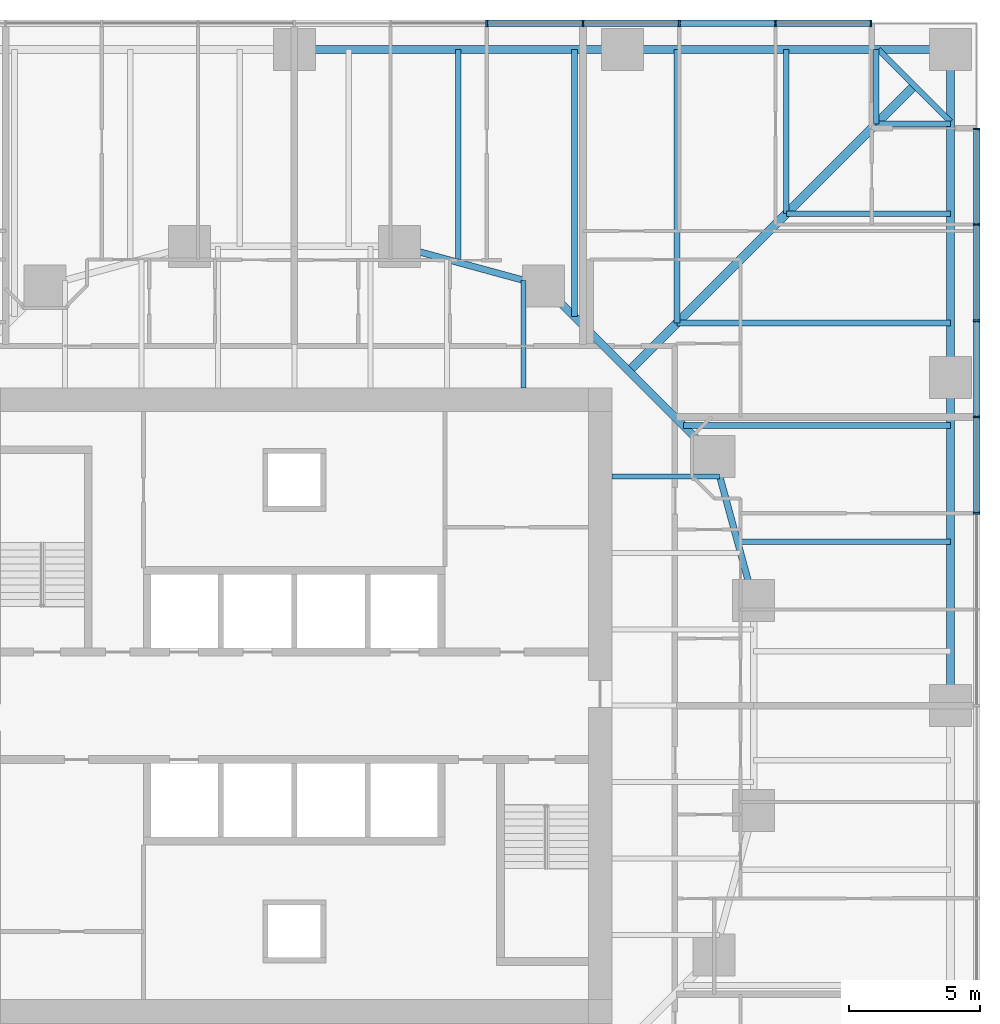
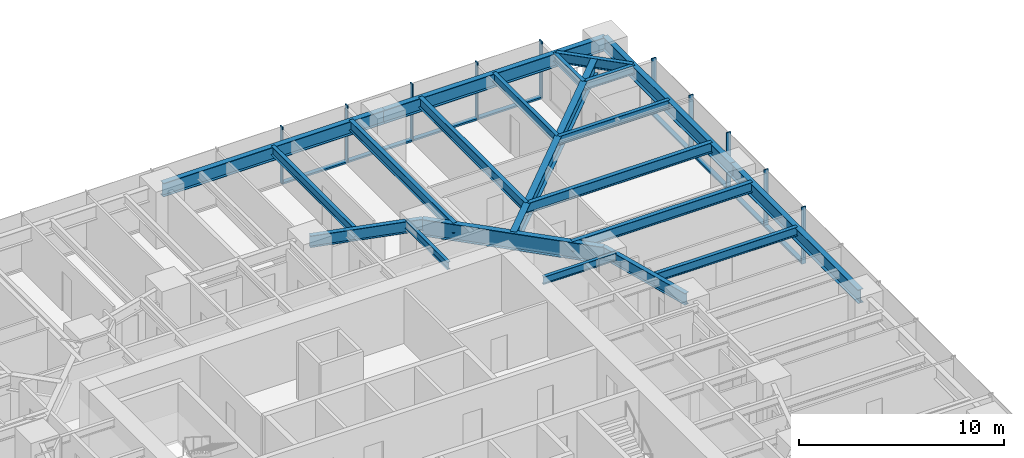
# One storey, part 6 of 17: 21 beams, 18 members, 2 elements without a shape of their own.
"""IFC4 building model written with IfcOpenShell, lengths in metres."""

from ifc_helpers import new_model, si_unit, direction, frame, origin, origin_2d, place, context, subcontext, project, spatial, rectangle, i_section, extrude, material, material_profile, profile_set, type_object, element, aggregate, save


model = new_model("IFC4")

# Units and contexts
model_context = context("Model", 3, precision=1e-05, world=origin(), true_north=direction((0.0, 1.0)))
body_context = subcontext(model_context, "Body", "Model", "MODEL_VIEW")
ifc_project = project(units=[si_unit("LENGTHUNIT", "METRE"), si_unit("AREAUNIT", "SQUARE_METRE"), si_unit("VOLUMEUNIT", "CUBIC_METRE"), si_unit("PLANEANGLEUNIT", "RADIAN"), si_unit("MASSUNIT", "GRAM", prefix="KILO")], contexts=[model_context])

# Site, building, storey
site_placement = place(None, origin())
site = spatial("IfcSite", under=ifc_project, at=site_placement, CompositionType="ELEMENT")
building_placement = place(site_placement, origin())
building = spatial("IfcBuilding", under=site, at=building_placement, Name="Torsade Residences", CompositionType="ELEMENT")
storey_placement = place(building_placement, frame((0.0, 0.0, 18.39990234375)))
storey = spatial("IfcBuildingStorey", under=building, at=storey_placement, Name="L04", CompositionType="ELEMENT", Elevation=18.39990234375)

# Beams
ifc_material_1 = material(Name="Steel grade 300", Category="steel")
ifc_material_profile_1 = material_profile(ifc_material_1, i_section(OverallWidth=0.35009765625, OverallDepth=0.909912109375, WebThickness=0.011962890625, FlangeThickness=0.02490234375, at=origin_2d()), Name="900WB218")
ifc_profile_set_1 = profile_set([ifc_material_profile_1], Name="Steel grade 300")
beam_type_1 = type_object("IfcBeamType", Name="CORNER GIRDER 900WB218", PredefinedType="BEAM", material=ifc_profile_set_1)
beam_1_placement = place(storey_placement, frame((63.625, 53.625, 2.795166015625), z_axis=(-0.707106781187, -0.707106781187, 0.0), x_axis=(0.707106781187, -0.707106781187, 0.0)))
element("IfcBeam", 1, at=beam_1_placement, inside=storey, type_object=beam_type_1, Name="Corner girder 09 L05", PredefinedType="BEAM", context=body_context, shape_type="SweptSolid", body=[
    extrude(i_section(OverallWidth=0.35009765625, OverallDepth=0.909912109375, WebThickness=0.011962890625, FlangeThickness=0.02490234375, at=origin_2d()), origin(), (0.0, 0.0, 1.0), 15.379638671875),
])
ifc_material_2 = material(Name="Steel grade 300", Category="steel")
ifc_material_profile_2 = material_profile(ifc_material_2, i_section(OverallWidth=0.22802734375, OverallDepth=0.60205078125, WebThickness=0.010498046875, FlangeThickness=0.014892578125, FilletRadius=0.013916015625, at=origin_2d()), Name="610UB101")
ifc_profile_set_2 = profile_set([ifc_material_profile_2], Name="Steel grade 300")
beam_type_2 = type_object("IfcBeamType", Name="CORNER TRIMMER 610UB101", PredefinedType="BEAM", material=ifc_profile_set_2)
beam_2_placement = place(storey_placement, frame((62.25, 55.0, 2.94921875), z_axis=(0.707106781187, -0.707106781187, 0.0), x_axis=(0.707106781187, 0.707106781187, 0.0)))
element("IfcBeam", 2, at=beam_2_placement, inside=storey, type_object=beam_type_2, Name="Corner trimmer 09 L05", PredefinedType="BEAM", context=body_context, shape_type="SweptSolid", body=[
    extrude(i_section(OverallWidth=0.22802734375, OverallDepth=0.60205078125, WebThickness=0.010498046875, FlangeThickness=0.014892578125, FilletRadius=0.013916015625, at=origin_2d()), origin(), (0.0, 0.0, 1.0), 3.88916015625),
])

# Curtain wall, members
ifc_material_3 = material(Name="Aluminium and glass", Category="aluminium")
curtain_wall_type = type_object("IfcCurtainWallType", Name="FRITTED GLASS CURTAIN WALL LOW ZONE", PredefinedType="NOTDEFINED", material=ifc_material_3)
curtain_wall_1_placement = place(storey_placement, origin())
curtain_wall_1 = element("IfcCurtainWall", 3, at=curtain_wall_1_placement, inside=storey, type_object=curtain_wall_type, Name="Curtain wall L04 face 4", PredefinedType="NOTDEFINED")
ifc_material_4 = material(Name="Aluminium mullion", Category="aluminium")
ifc_material_profile_3 = material_profile(ifc_material_4, rectangle(XDim=0.25, YDim=0.06494140625, at=origin_2d()), Name="CURTAIN WALL MULLION 250x65")
ifc_profile_set_3 = profile_set([ifc_material_profile_3], Name="Aluminium mullion")
member_type_1 = type_object("IfcMemberType", Name="CURTAIN WALL MULLION 250x65", PredefinedType="MULLION", material=ifc_profile_set_3)
member_1_placement = place(storey_placement, frame((66.0, 37.333251953125, 0.0), z_axis=(0.0, 0.0, 1.0), x_axis=(-1.0, 0.0, 0.0)))
member_1 = element("IfcMember", 4, at=member_1_placement, type_object=member_type_1, Name="Mullion 9", PredefinedType="MULLION", context=body_context, shape_type="SweptSolid", body=[
    extrude(rectangle(XDim=0.25, YDim=0.06494140625, at=origin_2d()), origin(), (0.0, 0.0, 1.0), 3.400146484375),
])
member_2_placement = place(storey_placement, frame((66.0, 41.0, 0.0), z_axis=(0.0, 0.0, 1.0), x_axis=(-1.0, 0.0, 0.0)))
member_2 = element("IfcMember", 5, at=member_2_placement, type_object=member_type_1, Name="Mullion 10", PredefinedType="MULLION", context=body_context, shape_type="SweptSolid", body=[
    extrude(rectangle(XDim=0.25, YDim=0.06494140625, at=origin_2d()), origin(), (0.0, 0.0, 1.0), 3.400146484375),
])
member_3_placement = place(storey_placement, frame((66.0, 44.666748046875, 0.0), z_axis=(0.0, 0.0, 1.0), x_axis=(-1.0, 0.0, 0.0)))
member_3 = element("IfcMember", 6, at=member_3_placement, type_object=member_type_1, Name="Mullion 11", PredefinedType="MULLION", context=body_context, shape_type="SweptSolid", body=[
    extrude(rectangle(XDim=0.25, YDim=0.06494140625, at=origin_2d()), origin(), (0.0, 0.0, 1.0), 3.400146484375),
])
member_4_placement = place(storey_placement, frame((66.0, 48.333251953125, 0.0), z_axis=(0.0, 0.0, 1.0), x_axis=(-1.0, 0.0, 0.0)))
member_4 = element("IfcMember", 7, at=member_4_placement, type_object=member_type_1, Name="Mullion 12", PredefinedType="MULLION", context=body_context, shape_type="SweptSolid", body=[
    extrude(rectangle(XDim=0.25, YDim=0.06494140625, at=origin_2d()), origin(), (0.0, 0.0, 1.0), 3.400146484375),
])
member_5_placement = place(storey_placement, frame((66.0, 51.967529296875, 0.0), z_axis=(0.0, 0.0, 1.0), x_axis=(-1.0, 0.0, 0.0)))
member_5 = element("IfcMember", 8, at=member_5_placement, type_object=member_type_1, Name="Mullion 13", PredefinedType="MULLION", context=body_context, shape_type="SweptSolid", body=[
    extrude(rectangle(XDim=0.25, YDim=0.06494140625, at=origin_2d()), origin(), (0.0, 0.0, 1.0), 3.400146484375),
])

curtain_wall_2_placement = place(storey_placement, origin())
curtain_wall_2 = element("IfcCurtainWall", 9, at=curtain_wall_2_placement, inside=storey, type_object=curtain_wall_type, Name="Curtain wall L04 face 7", PredefinedType="NOTDEFINED")
member_6_placement = place(storey_placement, frame((61.967529296875, 56.0, 0.0), z_axis=(0.0, 0.0, 1.0), x_axis=(0.0, -1.0, 0.0)))
member_6 = element("IfcMember", 10, at=member_6_placement, type_object=member_type_1, Name="Mullion 1", PredefinedType="MULLION", context=body_context, shape_type="SweptSolid", body=[
    extrude(rectangle(XDim=0.25, YDim=0.06494140625, at=origin_2d()), origin(), (0.0, 0.0, 1.0), 3.400146484375),
])
member_7_placement = place(storey_placement, frame((58.333251953125, 56.0, 0.0), z_axis=(0.0, 0.0, 1.0), x_axis=(0.0, -1.0, 0.0)))
member_7 = element("IfcMember", 11, at=member_7_placement, type_object=member_type_1, Name="Mullion 2", PredefinedType="MULLION", context=body_context, shape_type="SweptSolid", body=[
    extrude(rectangle(XDim=0.25, YDim=0.06494140625, at=origin_2d()), origin(), (0.0, 0.0, 1.0), 3.400146484375),
])
member_8_placement = place(storey_placement, frame((54.666748046875, 56.0, 0.0), z_axis=(0.0, 0.0, 1.0), x_axis=(0.0, -1.0, 0.0)))
member_8 = element("IfcMember", 12, at=member_8_placement, type_object=member_type_1, Name="Mullion 3", PredefinedType="MULLION", context=body_context, shape_type="SweptSolid", body=[
    extrude(rectangle(XDim=0.25, YDim=0.06494140625, at=origin_2d()), origin(), (0.0, 0.0, 1.0), 3.400146484375),
])
member_9_placement = place(storey_placement, frame((51.0, 56.0, 0.0), z_axis=(0.0, 0.0, 1.0), x_axis=(0.0, -1.0, 0.0)))
member_9 = element("IfcMember", 13, at=member_9_placement, type_object=member_type_1, Name="Mullion 4", PredefinedType="MULLION", context=body_context, shape_type="SweptSolid", body=[
    extrude(rectangle(XDim=0.25, YDim=0.06494140625, at=origin_2d()), origin(), (0.0, 0.0, 1.0), 3.400146484375),
])
member_10_placement = place(storey_placement, frame((47.333251953125, 56.0, 0.0), z_axis=(0.0, 0.0, 1.0), x_axis=(0.0, -1.0, 0.0)))
member_10 = element("IfcMember", 14, at=member_10_placement, type_object=member_type_1, Name="Mullion 5", PredefinedType="MULLION", context=body_context, shape_type="SweptSolid", body=[
    extrude(rectangle(XDim=0.25, YDim=0.06494140625, at=origin_2d()), origin(), (0.0, 0.0, 1.0), 3.400146484375),
])

# Member
ifc_material_5 = material(Name="Aluminium transom", Category="aluminium")
ifc_material_profile_4 = material_profile(ifc_material_5, rectangle(XDim=0.25, YDim=0.10009765625, at=origin_2d()), Name="CURTAIN WALL TRANSOM 250x100")
ifc_profile_set_4 = profile_set([ifc_material_profile_4], Name="Aluminium transom")
member_type_2 = type_object("IfcMemberType", Name="CURTAIN WALL TRANSOM 250x100", PredefinedType="USERDEFINED", material=ifc_profile_set_4)
member_11_placement = place(storey_placement, frame((66.0, 37.36572265625, 0.050048828125), z_axis=(0.0, 1.0, 0.0), x_axis=(-1.0, 0.0, 0.0)))
member_11 = element("IfcMember", 15, at=member_11_placement, type_object=member_type_2, Name="Transom 9.1", ObjectType="TRANSOM", PredefinedType="USERDEFINED", context=body_context, shape_type="SweptSolid", body=[
    extrude(rectangle(XDim=0.25, YDim=0.10009765625, at=origin_2d()), origin(), (0.0, 0.0, 1.0), 3.601806640625),
])

member_12_placement = place(storey_placement, frame((66.0, 41.032470703125, 0.050048828125), z_axis=(0.0, 1.0, 0.0), x_axis=(-1.0, 0.0, 0.0)))
member_12 = element("IfcMember", 16, at=member_12_placement, type_object=member_type_2, Name="Transom 10.1", ObjectType="TRANSOM", PredefinedType="USERDEFINED", context=body_context, shape_type="SweptSolid", body=[
    extrude(rectangle(XDim=0.25, YDim=0.10009765625, at=origin_2d()), origin(), (0.0, 0.0, 1.0), 3.601806640625),
])

member_13_placement = place(storey_placement, frame((66.0, 44.69921875, 0.050048828125), z_axis=(0.0, 1.0, 0.0), x_axis=(-1.0, 0.0, 0.0)))
member_13 = element("IfcMember", 17, at=member_13_placement, type_object=member_type_2, Name="Transom 11.1", ObjectType="TRANSOM", PredefinedType="USERDEFINED", context=body_context, shape_type="SweptSolid", body=[
    extrude(rectangle(XDim=0.25, YDim=0.10009765625, at=origin_2d()), origin(), (0.0, 0.0, 1.0), 3.6015625),
])

member_14_placement = place(storey_placement, frame((66.0, 48.36572265625, 0.050048828125), z_axis=(0.0, 1.0, 0.0), x_axis=(-1.0, 0.0, 0.0)))
member_14 = element("IfcMember", 18, at=member_14_placement, type_object=member_type_2, Name="Transom 12.1", ObjectType="TRANSOM", PredefinedType="USERDEFINED", context=body_context, shape_type="SweptSolid", body=[
    extrude(rectangle(XDim=0.25, YDim=0.10009765625, at=origin_2d()), origin(), (0.0, 0.0, 1.0), 3.5693359375),
])

aggregate(curtain_wall_1, [member_1, member_2, member_3, member_4, member_5, member_11, member_12, member_13, member_14])

member_15_placement = place(storey_placement, frame((61.93505859375, 56.0, 0.050048828125), z_axis=(-1.0, 0.0, 0.0), x_axis=(0.0, -1.0, 0.0)))
member_15 = element("IfcMember", 19, at=member_15_placement, type_object=member_type_2, Name="Transom 1.1", ObjectType="TRANSOM", PredefinedType="USERDEFINED", context=body_context, shape_type="SweptSolid", body=[
    extrude(rectangle(XDim=0.25, YDim=0.10009765625, at=origin_2d()), origin(), (0.0, 0.0, 1.0), 3.5693359375),
])

member_16_placement = place(storey_placement, frame((58.30078125, 56.0, 0.050048828125), z_axis=(-1.0, 0.0, 0.0), x_axis=(0.0, -1.0, 0.0)))
member_16 = element("IfcMember", 20, at=member_16_placement, type_object=member_type_2, Name="Transom 2.1", ObjectType="TRANSOM", PredefinedType="USERDEFINED", context=body_context, shape_type="SweptSolid", body=[
    extrude(rectangle(XDim=0.25, YDim=0.10009765625, at=origin_2d()), origin(), (0.0, 0.0, 1.0), 3.6015625),
])

member_17_placement = place(storey_placement, frame((54.63427734375, 56.0, 0.050048828125), z_axis=(-1.0, 0.0, 0.0), x_axis=(0.0, -1.0, 0.0)))
member_17 = element("IfcMember", 21, at=member_17_placement, type_object=member_type_2, Name="Transom 3.1", ObjectType="TRANSOM", PredefinedType="USERDEFINED", context=body_context, shape_type="SweptSolid", body=[
    extrude(rectangle(XDim=0.25, YDim=0.10009765625, at=origin_2d()), origin(), (0.0, 0.0, 1.0), 3.601806640625),
])

member_18_placement = place(storey_placement, frame((50.967529296875, 56.0, 0.050048828125), z_axis=(-1.0, 0.0, 0.0), x_axis=(0.0, -1.0, 0.0)))
member_18 = element("IfcMember", 22, at=member_18_placement, type_object=member_type_2, Name="Transom 4.1", ObjectType="TRANSOM", PredefinedType="USERDEFINED", context=body_context, shape_type="SweptSolid", body=[
    extrude(rectangle(XDim=0.25, YDim=0.10009765625, at=origin_2d()), origin(), (0.0, 0.0, 1.0), 3.601806640625),
])

aggregate(curtain_wall_2, [member_6, member_7, member_8, member_9, member_10, member_15, member_16, member_17, member_18])

# Beams
ifc_material_6 = material(Name="Steel grade 300", Category="steel")
ifc_material_profile_5 = material_profile(ifc_material_6, i_section(OverallWidth=0.300048828125, OverallDepth=0.81591796875, WebThickness=0.010009765625, FlangeThickness=0.028076171875, at=origin_2d()), Name="800WB192")
ifc_profile_set_5 = profile_set([ifc_material_profile_5], Name="Steel grade 300")
beam_type_3 = type_object("IfcBeamType", Name="EDGE BEAM 800WB192", PredefinedType="SPANDREL", material=ifc_profile_set_5)
for number, where, z_axis, x_axis, name in (
    (23, (65.0, 30.0, 2.842041015625), (0.0, 1.0, 0.0), (-1.0, 0.0, 0.0), "Edge beam 07 L05"),
    (24, (65.0, 42.5, 2.842041015625), (0.0, 1.0, 0.0), (-1.0, 0.0, 0.0), "Edge beam 08 L05"),
    (25, (65.0, 55.0, 2.842041015625), (-1.0, 0.0, 0.0), (0.0, -1.0, 0.0), "Edge beam 09 L05"),
    (26, (52.5, 55.0, 2.842041015625), (-1.0, 0.0, 0.0), (0.0, -1.0, 0.0), "Edge beam 10 L05"),
):
    element("IfcBeam", number, at=place(storey_placement, frame(where, z_axis=z_axis, x_axis=x_axis)), inside=storey, type_object=beam_type_3, Name=name, PredefinedType="SPANDREL", context=body_context, shape_type="SweptSolid", body=[
        extrude(i_section(OverallWidth=0.300048828125, OverallDepth=0.81591796875, WebThickness=0.010009765625, FlangeThickness=0.028076171875, at=origin_2d()), origin(), (0.0, 0.0, 1.0), 12.5),
    ])
ifc_material_7 = material(Name="Steel grade 300", Category="steel")
ifc_material_profile_6 = material_profile(ifc_material_7, i_section(OverallWidth=0.18994140625, OverallDepth=0.4541015625, WebThickness=0.008544921875, FlangeThickness=0.0126953125, FilletRadius=0.011474609375, at=origin_2d()), Name="460UB67.1")
ifc_profile_set_6 = profile_set([ifc_material_profile_6], Name="Steel grade 300")
beam_type_4 = type_object("IfcBeamType", Name="INNER FLOOR BEAM 460UB67.1", PredefinedType="JOIST", material=ifc_profile_set_6)
for number, where, z_axis, x_axis, name in (
    (27, (48.737548828125, 42.10009765625, 3.023193359375), (0.0, 1.0, 0.0), (-1.0, 0.0, 0.0), "Inner floor beam IN07 L05"),
    (28, (52.10009765625, 38.737548828125, 3.023193359375), (1.0, 0.0, 0.0), (0.0, 1.0, 0.0), "Inner floor beam IE07 L05"),
):
    element("IfcBeam", number, at=place(storey_placement, frame(where, z_axis=z_axis, x_axis=x_axis)), inside=storey, type_object=beam_type_4, Name=name, PredefinedType="JOIST", context=body_context, shape_type="SweptSolid", body=[
        extrude(i_section(OverallWidth=0.18994140625, OverallDepth=0.4541015625, WebThickness=0.008544921875, FlangeThickness=0.0126953125, FilletRadius=0.011474609375, at=origin_2d()), origin(), (0.0, 0.0, 1.0), 4.10791015625),
    ])
ifc_material_8 = material(Name="Steel grade 300", Category="steel")
ifc_material_profile_7 = material_profile(ifc_material_8, i_section(OverallWidth=0.300048828125, OverallDepth=1.0, WebThickness=0.01611328125, FlangeThickness=0.028076171875, at=origin_2d()), Name="1000WB215")
ifc_profile_set_7 = profile_set([ifc_material_profile_7], Name="Steel grade 300")
beam_type_5 = type_object("IfcBeamType", Name="RING CORNER GIRDER 1000WB215", PredefinedType="BEAM", material=ifc_profile_set_7)
beam_3_placement = place(storey_placement, frame((56.0, 39.5, 2.75), z_axis=(-0.707106781187, 0.707106781187, 0.0), x_axis=(-0.707106781187, -0.707106781187, 0.0)))
element("IfcBeam", 29, at=beam_3_placement, inside=storey, type_object=beam_type_5, Name="Ring girder IR03 L05", PredefinedType="BEAM", context=body_context, shape_type="SweptSolid", body=[
    extrude(i_section(OverallWidth=0.300048828125, OverallDepth=1.0, WebThickness=0.01611328125, FlangeThickness=0.028076171875, at=origin_2d()), origin(), (0.0, 0.0, 1.0), 9.1923828125),
])
ifc_material_9 = material(Name="Steel grade 300", Category="steel")
ifc_material_profile_8 = material_profile(ifc_material_9, i_section(OverallWidth=0.25, OverallDepth=0.699951171875, WebThickness=0.010009765625, FlangeThickness=0.02001953125, at=origin_2d()), Name="700WB130")
ifc_profile_set_8 = profile_set([ifc_material_profile_8], Name="Steel grade 300")
beam_type_6 = type_object("IfcBeamType", Name="RING GIRDER 700WB130", PredefinedType="BEAM", material=ifc_profile_set_8)
for number, where, z_axis, x_axis, name in (
    (30, (57.5, 34.0, 2.900146484375), (-0.263117405792, 0.964763821238, 0.0), (-0.964763821238, -0.263117405792, 0.0), "Ring girder IR02 L05"),
    (31, (49.5, 46.0, 2.900146484375), (-0.964763821238, 0.263117405792, 0.0), (-0.263117405792, -0.964763821238, 0.0), "Ring girder IR04 L05"),
):
    element("IfcBeam", number, at=place(storey_placement, frame(where, z_axis=z_axis, x_axis=x_axis)), inside=storey, type_object=beam_type_6, Name=name, PredefinedType="BEAM", context=body_context, shape_type="SweptSolid", body=[
        extrude(i_section(OverallWidth=0.25, OverallDepth=0.699951171875, WebThickness=0.010009765625, FlangeThickness=0.02001953125, at=origin_2d()), origin(), (0.0, 0.0, 1.0), 5.700927734375),
    ])
ifc_material_10 = material(Name="Steel grade 300", Category="steel")
ifc_material_profile_9 = material_profile(ifc_material_10, i_section(OverallWidth=0.208984375, OverallDepth=0.528076171875, WebThickness=0.009521484375, FlangeThickness=0.01318359375, FilletRadius=0.013916015625, at=origin_2d()), Name="530UB82.0")
ifc_profile_set_9 = profile_set([ifc_material_profile_9], Name="Steel grade 300")
beam_type_7 = type_object("IfcBeamType", Name="SECONDARY BEAM 530UB82.0", PredefinedType="JOIST", material=ifc_profile_set_9)
beam_4_placement = place(storey_placement, frame((65.0, 36.25, 2.986083984375), z_axis=(-1.0, 0.0, 0.0), x_axis=(0.0, -1.0, 0.0)))
element("IfcBeam", 32, at=beam_4_placement, inside=storey, type_object=beam_type_7, Name="Floor beam FE08 L05", PredefinedType="JOIST", context=body_context, shape_type="SweptSolid", body=[
    extrude(i_section(OverallWidth=0.208984375, OverallDepth=0.528076171875, WebThickness=0.009521484375, FlangeThickness=0.01318359375, FilletRadius=0.013916015625, at=origin_2d()), origin(), (0.0, 0.0, 1.0), 8.113525390625),
])
beam_5_placement = place(storey_placement, frame((65.0, 48.75, 2.986083984375), z_axis=(-1.0, 0.0, 0.0), x_axis=(0.0, -1.0, 0.0)))
element("IfcBeam", 33, at=beam_5_placement, inside=storey, type_object=beam_type_7, Name="Floor beam FE11 L05", PredefinedType="JOIST", context=body_context, shape_type="SweptSolid", body=[
    extrude(i_section(OverallWidth=0.208984375, OverallDepth=0.528076171875, WebThickness=0.009521484375, FlangeThickness=0.01318359375, FilletRadius=0.013916015625, at=origin_2d()), origin(), (0.0, 0.0, 1.0), 6.25),
])
for number, where, z_axis, x_axis, name in (
    (34, (65.0, 52.166748046875, 2.986083984375), (-1.0, 0.0, 0.0), (0.0, -1.0, 0.0), "Floor beam FE12 L05"),
    (35, (62.166748046875, 55.0, 2.986083984375), (0.0, -1.0, 0.0), (1.0, 0.0, 0.0), "Floor beam FN01 L05"),
):
    element("IfcBeam", number, at=place(storey_placement, frame(where, z_axis=z_axis, x_axis=x_axis)), inside=storey, type_object=beam_type_7, Name=name, PredefinedType="JOIST", context=body_context, shape_type="SweptSolid", body=[
        extrude(i_section(OverallWidth=0.208984375, OverallDepth=0.528076171875, WebThickness=0.009521484375, FlangeThickness=0.01318359375, FilletRadius=0.013916015625, at=origin_2d()), origin(), (0.0, 0.0, 1.0), 2.833251953125),
    ])
beam_6_placement = place(storey_placement, frame((58.75, 55.0, 2.986083984375), z_axis=(0.0, -1.0, 0.0), x_axis=(1.0, 0.0, 0.0)))
element("IfcBeam", 36, at=beam_6_placement, inside=storey, type_object=beam_type_7, Name="Floor beam FN02 L05", PredefinedType="JOIST", context=body_context, shape_type="SweptSolid", body=[
    extrude(i_section(OverallWidth=0.208984375, OverallDepth=0.528076171875, WebThickness=0.009521484375, FlangeThickness=0.01318359375, FilletRadius=0.013916015625, at=origin_2d()), origin(), (0.0, 0.0, 1.0), 6.25),
])
beam_7_placement = place(storey_placement, frame((46.25, 55.0, 2.986083984375), z_axis=(0.0, -1.0, 0.0), x_axis=(1.0, 0.0, 0.0)))
element("IfcBeam", 37, at=beam_7_placement, inside=storey, type_object=beam_type_7, Name="Floor beam FN05 L05", PredefinedType="JOIST", context=body_context, shape_type="SweptSolid", body=[
    extrude(i_section(OverallWidth=0.208984375, OverallDepth=0.528076171875, WebThickness=0.009521484375, FlangeThickness=0.01318359375, FilletRadius=0.013916015625, at=origin_2d()), origin(), (0.0, 0.0, 1.0), 8.113525390625),
])
ifc_material_11 = material(Name="Steel grade 300", Category="steel")
ifc_material_profile_10 = material_profile(ifc_material_11, i_section(OverallWidth=0.22900390625, OverallDepth=0.612060546875, WebThickness=0.011962890625, FlangeThickness=0.01953125, FilletRadius=0.013916015625, at=origin_2d()), Name="610UB125")
ifc_profile_set_10 = profile_set([ifc_material_profile_10], Name="Steel grade 300")
beam_type_8 = type_object("IfcBeamType", Name="SECONDARY BEAM 610UB125", PredefinedType="JOIST", material=ifc_profile_set_10)
beam_8_placement = place(storey_placement, frame((65.0, 40.666748046875, 2.944091796875), z_axis=(-1.0, 0.0, 0.0), x_axis=(0.0, -1.0, 0.0)))
element("IfcBeam", 38, at=beam_8_placement, inside=storey, type_object=beam_type_8, Name="Floor beam FE09 L05", PredefinedType="JOIST", context=body_context, shape_type="SweptSolid", body=[
    extrude(i_section(OverallWidth=0.22900390625, OverallDepth=0.612060546875, WebThickness=0.011962890625, FlangeThickness=0.01953125, FilletRadius=0.013916015625, at=origin_2d()), origin(), (0.0, 0.0, 1.0), 10.166748046875),
])
for number, where, z_axis, x_axis, name in (
    (39, (65.0, 44.583251953125, 2.944091796875), (-1.0, 0.0, 0.0), (0.0, -1.0, 0.0), "Floor beam FE10 L05"),
    (40, (54.583251953125, 55.0, 2.944091796875), (0.0, -1.0, 0.0), (1.0, 0.0, 0.0), "Floor beam FN03 L05"),
):
    element("IfcBeam", number, at=place(storey_placement, frame(where, z_axis=z_axis, x_axis=x_axis)), inside=storey, type_object=beam_type_8, Name=name, PredefinedType="JOIST", context=body_context, shape_type="SweptSolid", body=[
        extrude(i_section(OverallWidth=0.22900390625, OverallDepth=0.612060546875, WebThickness=0.011962890625, FlangeThickness=0.01953125, FilletRadius=0.013916015625, at=origin_2d()), origin(), (0.0, 0.0, 1.0), 10.416748046875),
    ])
beam_9_placement = place(storey_placement, frame((50.666748046875, 55.0, 2.944091796875), z_axis=(0.0, -1.0, 0.0), x_axis=(1.0, 0.0, 0.0)))
element("IfcBeam", 41, at=beam_9_placement, inside=storey, type_object=beam_type_8, Name="Floor beam FN04 L05", PredefinedType="JOIST", context=body_context, shape_type="SweptSolid", body=[
    extrude(i_section(OverallWidth=0.22900390625, OverallDepth=0.612060546875, WebThickness=0.011962890625, FlangeThickness=0.01953125, FilletRadius=0.013916015625, at=origin_2d()), origin(), (0.0, 0.0, 1.0), 10.166748046875),
])

save(model, "model.ifc")
